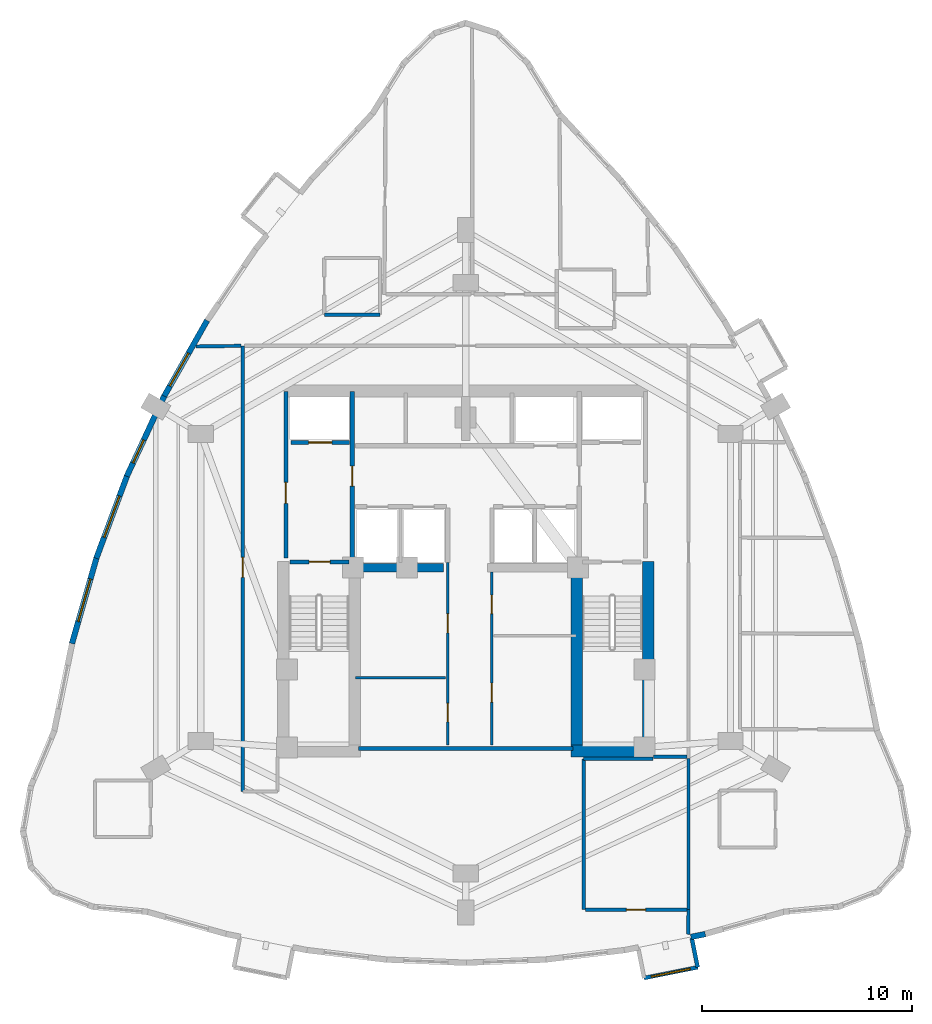
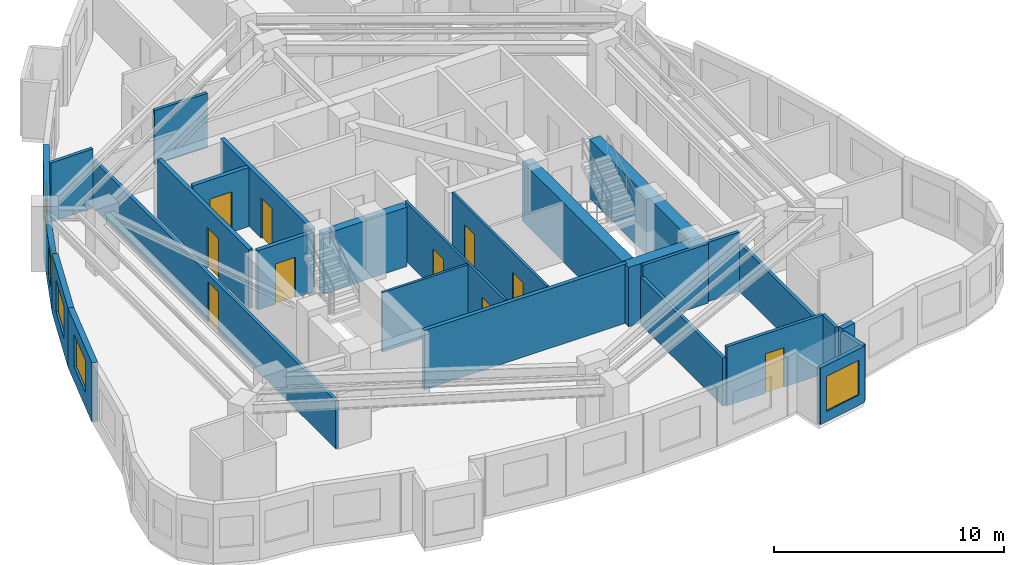
# One storey, part 5 of 9: 28 walls, 10 doors, 5 windows, 15 openings.
"""IFC4 building model written with IfcOpenShell, lengths in metres."""

from ifc_helpers import new_model, si_unit, direction, frame, frame_2d, origin, place, context, subcontext, project, spatial, rectangle, extrude, material, layer, layer_set, type_object, element, fill, save


model = new_model("IFC4")

# Units and contexts
model_context = context("Model", 3, precision=1e-05, world=origin(), true_north=direction((0.0, 1.0)))
body_context = subcontext(model_context, "Body", "Model", "MODEL_VIEW")
ifc_project = project(units=[si_unit("LENGTHUNIT", "METRE"), si_unit("AREAUNIT", "SQUARE_METRE"), si_unit("VOLUMEUNIT", "CUBIC_METRE"), si_unit("PLANEANGLEUNIT", "RADIAN"), si_unit("MASSUNIT", "GRAM", prefix="KILO")], contexts=[model_context])

# Site, building, storey
site_placement = place(None, origin())
site = spatial("IfcSite", under=ifc_project, at=site_placement, CompositionType="ELEMENT")
building_placement = place(site_placement, origin())
building = spatial("IfcBuilding", under=site, at=building_placement, Name="Miruveldt Soraemaru", CompositionType="ELEMENT")
storey_placement = place(building_placement, frame((0.0, 0.0, 180.89990234375)))
storey = spatial("IfcBuildingStorey", under=building, at=storey_placement, Name="L50", CompositionType="ELEMENT", Elevation=180.89990234375)

# Wall
ifc_material_1 = material(Name="White powder-coated aluminium EN AW-6060 T6", Category="aluminium")
ifc_layer_1 = layer(ifc_material_1, 0.18994140625, Name="White powder-coated aluminium EN AW-6060 T6", Category="aluminium")
ifc_layer_set_1 = layer_set([ifc_layer_1], Name="White powder-coated aluminium EN AW-6060 T6")
wall_type_1 = type_object("IfcWallType", Name="WALL-BAY-ALU190", PredefinedType="SOLIDWALL", material=ifc_layer_set_1)
wall_1_placement = place(storey_placement, frame((55.035400390625, 25.035888671875, 0.0), z_axis=(0.0, 0.0, 1.0), x_axis=(-0.195984352603, 0.980607022989, 0.0)))
element("IfcWall", 1, at=wall_1_placement, inside=storey, type_object=wall_type_1, Name="L50 Bay Window Side Cheek 2R", PredefinedType="SOLIDWALL", context=body_context, shape_type="SweptSolid", body=[
    extrude(rectangle(XDim=1.425048828125, YDim=0.18994140625, at=frame_2d((0.71240234375, 0.0))), origin(), (0.0, 0.0, 1.0), 3.0),
])

# Wall, opening, window
wall_2_placement = place(storey_placement, frame((52.48583984375, 24.526123046875, 0.0), z_axis=(0.0, 0.0, 1.0), x_axis=(0.980591508741, 0.196061962104, 0.0)))
wall_2 = element("IfcWall", 2, at=wall_2_placement, inside=storey, type_object=wall_type_1, Name="L50 Bay Window Front Frame 2", PredefinedType="SOLIDWALL", context=body_context, shape_type="SweptSolid", body=[
    extrude(rectangle(XDim=2.60009765625, YDim=0.18994140625, at=frame_2d((1.300048828125, 0.0))), origin(), (0.0, 0.0, 1.0), 3.0),
])
opening_1_placement = place(wall_2_placement, frame((0.35009765625, 0.0, 0.550048828125)))
opening_1 = element("IfcOpeningElement", 3, at=opening_1_placement, cuts=wall_2, Name="Opening WN-6", PredefinedType="OPENING", context=body_context, shape_type="SweptSolid", body=[
    extrude(rectangle(XDim=1.89990234375, YDim=1.85009765625, at=frame_2d((0.949951171875, 0.925048828125))), frame((0.0, 0.10498046875, 0.0), z_axis=(0.0, -1.0, 0.0), x_axis=(1.0, 0.0, 0.0)), (0.0, 0.0, 1.0), 0.2099609375),
])
ifc_material_2 = material(Name="Triple low-e insulated glazing", Category="glass")
window_type_1 = type_object("IfcWindowType", Name="WIN-BAYW-1900x1850", PartitioningType="SINGLE_PANEL", PredefinedType="WINDOW", material=ifc_material_2)
window_1_placement = place(opening_1_placement, origin())
window_1 = element("IfcWindow", 4, at=window_1_placement, inside=storey, type_object=window_type_1, Name="L50 Projecting Bay Window 2", OverallHeight=1.85009765625, OverallWidth=1.89990234375, PartitioningType="SINGLE_PANEL", PredefinedType="WINDOW", context=body_context, shape_type="SweptSolid", body=[
    extrude(rectangle(XDim=1.89990234375, YDim=1.85009765625, at=frame_2d((0.949951171875, 0.925048828125))), frame((0.0, 0.030029296875, 0.0), z_axis=(0.0, -1.0, 0.0), x_axis=(1.0, 0.0, 0.0)), (0.0, 0.0, 1.0), 0.06005859375),
])
fill(opening_1, window_1)

# Walls
ifc_material_3 = material(Name="Concrete C70/85 (70 MPa)", Category="concrete")
ifc_layer_2 = layer(ifc_material_3, 0.5, Name="Concrete C70/85 (70 MPa)", Category="concrete")
ifc_layer_set_2 = layer_set([ifc_layer_2], Name="Concrete C70/85 (70 MPa)")
wall_type_2 = type_object("IfcWallType", Name="WALL-BW-500", PredefinedType="SHEAR", material=ifc_layer_set_2)
wall_3_placement = place(storey_placement, frame((38.75, 44.050048828125, 0.0), z_axis=(0.0, 0.0, 1.0), x_axis=(1.0, 0.0, 0.0)))
element("IfcWall", 5, at=wall_3_placement, inside=storey, type_object=wall_type_2, Name="L50 Core Buttress Shear Wall BW", PredefinedType="SHEAR", context=body_context, shape_type="SweptSolid", body=[
    extrude(rectangle(XDim=4.199951171875, YDim=0.39990234375, at=frame_2d((2.10009765625, 0.0))), origin(), (0.0, 0.0, 1.0), 3.150146484375),
])
ifc_layer_3 = layer(ifc_material_3, 0.550048828125, Name="Concrete C70/85 (70 MPa)", Category="concrete")
ifc_layer_set_3 = layer_set([ifc_layer_3], Name="Concrete C70/85 (70 MPa)")
wall_type_3 = type_object("IfcWallType", Name="WALL-CW-550", PredefinedType="SHEAR", material=ifc_layer_set_3)
wall_4_placement = place(storey_placement, frame((49.0, 35.324951171875, 0.0), z_axis=(0.0, 0.0, 1.0), x_axis=(1.0, 0.0, 0.0)))
element("IfcWall", 6, at=wall_4_placement, inside=storey, type_object=wall_type_3, Name="L50 Central Core Shear Wall S2", PredefinedType="SHEAR", context=body_context, shape_type="SweptSolid", body=[
    extrude(rectangle(XDim=3.949951171875, YDim=0.550048828125, at=frame_2d((1.97509765625, 0.0))), origin(), (0.0, 0.0, 1.0), 3.150146484375),
])
wall_5_placement = place(storey_placement, frame((52.675048828125, 35.050048828125, 0.0), z_axis=(0.0, 0.0, 1.0), x_axis=(0.0, 1.0, 0.0)))
element("IfcWall", 7, at=wall_5_placement, inside=storey, type_object=wall_type_3, Name="L50 Central Core Shear Wall E1", PredefinedType="SHEAR", context=body_context, shape_type="SweptSolid", body=[
    extrude(rectangle(XDim=9.300048828125, YDim=0.550048828125, at=frame_2d((4.64990234375, 0.0))), origin(), (0.0, 0.0, 1.0), 3.150146484375),
])
wall_6_placement = place(storey_placement, frame((49.27490234375, 35.39990234375, 0.0), z_axis=(0.0, 0.0, 1.0), x_axis=(0.0, 1.0, 0.0)))
element("IfcWall", 8, at=wall_6_placement, inside=storey, type_object=wall_type_3, Name="L50 Central Core Shear Wall SE-INT", PredefinedType="SHEAR", context=body_context, shape_type="SweptSolid", body=[
    extrude(rectangle(XDim=8.9501953125, YDim=0.550048828125, at=frame_2d((4.47509765625, 0.0))), origin(), (0.0, 0.0, 1.0), 3.150146484375),
])

# Wall, opening, window
ifc_material_4 = material(Name="Precast concrete C45/55 (45 MPa)", Category="concrete")
ifc_layer_4 = layer(ifc_material_4, 0.27001953125, Name="Precast concrete C45/55 (45 MPa)", Category="concrete")
ifc_layer_set_4 = layer_set([ifc_layer_4], Name="Precast concrete C45/55 (45 MPa)")
wall_type_4 = type_object("IfcWallType", Name="WALL-EXT-PC270", PredefinedType="SOLIDWALL", material=ifc_layer_set_4)
wall_7_placement = place(storey_placement, frame((31.69970703125, 55.805419921875, 0.0), z_axis=(0.0, 0.0, 1.0), x_axis=(-0.493374182054, -0.869817174171, 0.0)))
wall_7 = element("IfcWall", 9, at=wall_7_placement, inside=storey, type_object=wall_type_4, Name="L50 Precast Concrete Facade Wall 10", PredefinedType="SOLIDWALL", context=body_context, shape_type="SweptSolid", body=[
    extrude(rectangle(XDim=4.20703125, YDim=0.27001953125, at=frame_2d((2.103515625, 0.0))), origin(), (0.0, 0.0, 1.0), 3.150146484375),
])
opening_2_placement = place(wall_7_placement, frame((1.7890625, 0.0, 0.800048828125)))
opening_2 = element("IfcOpeningElement", 10, at=opening_2_placement, cuts=wall_7, Name="Opening WN-2", PredefinedType="OPENING", context=body_context, shape_type="SweptSolid", body=[
    extrude(rectangle(XDim=1.800048828125, YDim=1.64990234375, at=frame_2d((0.89990234375, 0.824951171875))), frame((0.0, 0.14501953125, 0.0), z_axis=(0.0, -1.0, 0.0), x_axis=(1.0, 0.0, 0.0)), (0.0, 0.0, 1.0), 0.2900390625),
])
window_type_2 = type_object("IfcWindowType", Name="WIN-PUNCH-1800x1650", PartitioningType="SINGLE_PANEL", PredefinedType="WINDOW", material=ifc_material_2)
window_2_placement = place(opening_2_placement, origin())
window_2 = element("IfcWindow", 11, at=window_2_placement, inside=storey, type_object=window_type_2, Name="L50 Punched Triple-Glazed Window 10.1", OverallHeight=1.64990234375, OverallWidth=1.800048828125, PartitioningType="SINGLE_PANEL", PredefinedType="WINDOW", context=body_context, shape_type="SweptSolid", body=[
    extrude(rectangle(XDim=1.800048828125, YDim=1.64990234375, at=frame_2d((0.89990234375, 0.824951171875))), frame((0.0, 0.030029296875, 0.0), z_axis=(0.0, -1.0, 0.0), x_axis=(1.0, 0.0, 0.0)), (0.0, 0.0, 1.0), 0.06005859375),
])
fill(opening_2, window_2)

wall_8_placement = place(storey_placement, frame((29.65625, 52.2080078125, 0.0), z_axis=(0.0, 0.0, 1.0), x_axis=(-0.422345326192, -0.906435008947, 0.0)))
wall_8 = element("IfcWall", 12, at=wall_8_placement, inside=storey, type_object=wall_type_4, Name="L50 Precast Concrete Facade Wall 11", PredefinedType="SOLIDWALL", context=body_context, shape_type="SweptSolid", body=[
    extrude(rectangle(XDim=4.20703125, YDim=0.27001953125, at=frame_2d((2.103515625, 0.0))), origin(), (0.0, 0.0, 1.0), 2.550048828125),
])
opening_3_placement = place(wall_8_placement, frame((2.300048828125, 0.0, 0.780029296875)))
opening_3 = element("IfcOpeningElement", 13, at=opening_3_placement, cuts=wall_8, Name="Opening WN-4", PredefinedType="OPENING", context=body_context, shape_type="SweptSolid", body=[
    extrude(rectangle(XDim=1.199951171875, YDim=1.550048828125, at=frame_2d((0.60009765625, 0.77490234375))), frame((0.0, 0.14501953125, 0.0), z_axis=(0.0, -1.0, 0.0), x_axis=(1.0, 0.0, 0.0)), (0.0, 0.0, 1.0), 0.2900390625),
])
window_type_3 = type_object("IfcWindowType", Name="WIN-PUNCH-1200x1550", PartitioningType="SINGLE_PANEL", PredefinedType="WINDOW", material=ifc_material_2)
window_3_placement = place(opening_3_placement, origin())
window_3 = element("IfcWindow", 14, at=window_3_placement, inside=storey, type_object=window_type_3, Name="L50 Punched Triple-Glazed Window 11.1", OverallHeight=1.550048828125, OverallWidth=1.199951171875, PartitioningType="SINGLE_PANEL", PredefinedType="WINDOW", context=body_context, shape_type="SweptSolid", body=[
    extrude(rectangle(XDim=1.199951171875, YDim=1.550048828125, at=frame_2d((0.60009765625, 0.77490234375))), frame((0.0, 0.030029296875, 0.0), z_axis=(0.0, -1.0, 0.0), x_axis=(1.0, 0.0, 0.0)), (0.0, 0.0, 1.0), 0.06005859375),
])
fill(opening_3, window_3)

wall_9_placement = place(storey_placement, frame((27.906494140625, 48.458984375, 0.0), z_axis=(0.0, 0.0, 1.0), x_axis=(-0.349011712454, -0.937118362092, 0.0)))
wall_9 = element("IfcWall", 15, at=wall_9_placement, inside=storey, type_object=wall_type_4, Name="L50 Precast Concrete Facade Wall 12", PredefinedType="SOLIDWALL", context=body_context, shape_type="SweptSolid", body=[
    extrude(rectangle(XDim=4.2333984375, YDim=0.27001953125, at=frame_2d((2.11669921875, 0.0))), origin(), (0.0, 0.0, 1.0), 3.150146484375),
])
opening_4_placement = place(wall_9_placement, frame((1.06689453125, 0.0, 0.800048828125)))
opening_4 = element("IfcOpeningElement", 16, at=opening_4_placement, cuts=wall_9, Name="Opening WN-1", PredefinedType="OPENING", context=body_context, shape_type="SweptSolid", body=[
    extrude(rectangle(XDim=2.10009765625, YDim=1.699951171875, at=frame_2d((1.050048828125, 0.85009765625))), frame((0.0, 0.14501953125, 0.0), z_axis=(0.0, -1.0, 0.0), x_axis=(1.0, 0.0, 0.0)), (0.0, 0.0, 1.0), 0.2900390625),
])
window_type_4 = type_object("IfcWindowType", Name="WIN-PUNCH-2100x1700", PartitioningType="SINGLE_PANEL", PredefinedType="WINDOW", material=ifc_material_2)
window_4_placement = place(opening_4_placement, origin())
window_4 = element("IfcWindow", 17, at=window_4_placement, inside=storey, type_object=window_type_4, Name="L50 Punched Triple-Glazed Window 12.1", OverallHeight=1.699951171875, OverallWidth=2.10009765625, PartitioningType="SINGLE_PANEL", PredefinedType="WINDOW", context=body_context, shape_type="SweptSolid", body=[
    extrude(rectangle(XDim=2.10009765625, YDim=1.699951171875, at=frame_2d((1.050048828125, 0.85009765625))), frame((0.0, 0.030029296875, 0.0), z_axis=(0.0, -1.0, 0.0), x_axis=(1.0, 0.0, 0.0)), (0.0, 0.0, 1.0), 0.06005859375),
])
fill(opening_4, window_4)

wall_10_placement = place(storey_placement, frame((26.45068359375, 44.55810546875, 0.0), z_axis=(0.0, 0.0, 1.0), x_axis=(-0.274984460163, -0.961448670845, 0.0)))
wall_10 = element("IfcWall", 18, at=wall_10_placement, inside=storey, type_object=wall_type_4, Name="L50 Precast Concrete Facade Wall 13", PredefinedType="SOLIDWALL", context=body_context, shape_type="SweptSolid", body=[
    extrude(rectangle(XDim=4.28564453125, YDim=0.27001953125, at=frame_2d((2.142822265625, 0.0))), origin(), (0.0, 0.0, 1.0), 3.150146484375),
])
opening_5_placement = place(wall_10_placement, frame((1.093017578125, 0.0, 0.800048828125)))
opening_5 = element("IfcOpeningElement", 19, at=opening_5_placement, cuts=wall_10, Name="Opening WN-1", PredefinedType="OPENING", context=body_context, shape_type="SweptSolid", body=[
    extrude(rectangle(XDim=2.10009765625, YDim=1.699951171875, at=frame_2d((1.050048828125, 0.85009765625))), frame((0.0, 0.14501953125, 0.0), z_axis=(0.0, -1.0, 0.0), x_axis=(1.0, 0.0, 0.0)), (0.0, 0.0, 1.0), 0.2900390625),
])
window_5_placement = place(opening_5_placement, origin())
window_5 = element("IfcWindow", 20, at=window_5_placement, inside=storey, type_object=window_type_4, Name="L50 Punched Triple-Glazed Window 13.1", OverallHeight=1.699951171875, OverallWidth=2.10009765625, PartitioningType="SINGLE_PANEL", PredefinedType="WINDOW", context=body_context, shape_type="SweptSolid", body=[
    extrude(rectangle(XDim=2.10009765625, YDim=1.699951171875, at=frame_2d((1.050048828125, 0.85009765625))), frame((0.0, 0.030029296875, 0.0), z_axis=(0.0, -1.0, 0.0), x_axis=(1.0, 0.0, 0.0)), (0.0, 0.0, 1.0), 0.06005859375),
])
fill(opening_5, window_5)

# Wall
wall_11_placement = place(storey_placement, frame((54.7158203125, 26.481201171875, 0.0), z_axis=(0.0, 0.0, 1.0), x_axis=(0.980553708883, 0.196250921006, 0.0)))
element("IfcWall", 21, at=wall_11_placement, inside=storey, type_object=wall_type_4, Name="L50 Precast Pier Wall 27B", PredefinedType="SOLIDWALL", context=body_context, shape_type="SweptSolid", body=[
    extrude(rectangle(XDim=0.696533203125, YDim=0.27001953125, at=frame_2d((0.34814453125, 0.0))), origin(), (0.0, 0.0, 1.0), 3.150146484375),
])

# Wall, openings, doors
ifc_material_5 = material(Name="Gypsum plasterboard lining", Category="gypsum")
ifc_layer_5 = layer(ifc_material_5, 0.1201171875, Name="Gypsum plasterboard lining", Category="gypsum")
ifc_layer_set_5 = layer_set([ifc_layer_5], Name="Gypsum plasterboard lining")
wall_type_5 = type_object("IfcWallType", Name="WALL-INT-P120", PredefinedType="PARTITIONING", material=ifc_layer_set_5)
wall_12_placement = place(storey_placement, frame((43.14990234375, 35.60009765625, 0.0), z_axis=(0.0, 0.0, 1.0), x_axis=(0.0, 1.0, 0.0)))
wall_12 = element("IfcWall", 22, at=wall_12_placement, inside=storey, type_object=wall_type_5, Name="L50 Core Compartment Wall SP-WL", PredefinedType="PARTITIONING", context=body_context, shape_type="SweptSolid", body=[
    extrude(rectangle(XDim=8.699951171875, YDim=0.1201171875, at=frame_2d((4.35009765625, 0.0))), origin(), (0.0, 0.0, 1.0), 3.150146484375),
])
opening_6_placement = place(wall_12_placement, frame((1.110107421875, 0.0, 0.0)))
opening_6 = element("IfcOpeningElement", 23, at=opening_6_placement, cuts=wall_12, Name="Opening D4", PredefinedType="OPENING", context=body_context, shape_type="SweptSolid", body=[
    extrude(rectangle(XDim=0.8798828125, YDim=2.10009765625, at=frame_2d((0.43994140625, 1.050048828125))), frame((0.0, 0.070068359375, 0.0), z_axis=(0.0, -1.0, 0.0), x_axis=(1.0, 0.0, 0.0)), (0.0, 0.0, 1.0), 0.14013671875),
])
opening_7_placement = place(wall_12_placement, frame((5.35009765625, 0.0, 0.0)))
opening_7 = element("IfcOpeningElement", 24, at=opening_7_placement, cuts=wall_12, Name="Opening D3", PredefinedType="OPENING", context=body_context, shape_type="SweptSolid", body=[
    extrude(rectangle(XDim=0.89990234375, YDim=2.10009765625, at=frame_2d((0.449951171875, 1.050048828125))), frame((0.0, 0.070068359375, 0.0), z_axis=(0.0, -1.0, 0.0), x_axis=(1.0, 0.0, 0.0)), (0.0, 0.0, 1.0), 0.14013671875),
])
ifc_material_6 = material(Name="Anodised aluminium EN AW-6063 T6", Category="aluminium")
door_type_1 = type_object("IfcDoorType", Name="DOOR-INT-880", OperationType="NOTDEFINED", PredefinedType="DOOR", material=ifc_material_6)
door_1_placement = place(opening_6_placement, origin())
door_1 = element("IfcDoor", 25, at=door_1_placement, inside=storey, type_object=door_type_1, Name="L50 Fire Door", OperationType="SINGLE_SWING_LEFT", OverallHeight=2.10009765625, OverallWidth=0.8798828125, PredefinedType="DOOR", context=body_context, shape_type="SweptSolid", body=[
    extrude(rectangle(XDim=0.8798828125, YDim=2.10009765625, at=frame_2d((0.43994140625, 1.050048828125))), frame((0.0, 0.02490234375, 0.0), z_axis=(0.0, -1.0, 0.0), x_axis=(1.0, 0.0, 0.0)), (0.0, 0.0, 1.0), 0.050048828125),
])
fill(opening_6, door_1)
door_type_2 = type_object("IfcDoorType", Name="DOOR-INT-900", OperationType="NOTDEFINED", PredefinedType="DOOR", material=ifc_material_6)
door_2_placement = place(opening_7_placement, origin())
door_2 = element("IfcDoor", 26, at=door_2_placement, inside=storey, type_object=door_type_2, Name="L50 Fire Door", OperationType="SINGLE_SWING_LEFT", OverallHeight=2.10009765625, OverallWidth=0.89990234375, PredefinedType="DOOR", context=body_context, shape_type="SweptSolid", body=[
    extrude(rectangle(XDim=0.89990234375, YDim=2.10009765625, at=frame_2d((0.449951171875, 1.050048828125))), frame((0.0, 0.02490234375, 0.0), z_axis=(0.0, -1.0, 0.0), x_axis=(1.0, 0.0, 0.0)), (0.0, 0.0, 1.0), 0.050048828125),
])
fill(opening_7, door_2)

wall_13_placement = place(storey_placement, frame((45.25, 35.60009765625, 0.0), z_axis=(0.0, 0.0, 1.0), x_axis=(0.0, 1.0, 0.0)))
wall_13 = element("IfcWall", 27, at=wall_13_placement, inside=storey, type_object=wall_type_5, Name="L50 Core Compartment Wall SP-EL", PredefinedType="PARTITIONING", context=body_context, shape_type="SweptSolid", body=[
    extrude(rectangle(XDim=8.25, YDim=0.1201171875, at=frame_2d((4.125, 0.0))), origin(), (0.0, 0.0, 1.0), 3.150146484375),
])
opening_8_placement = place(wall_13_placement, frame((2.050048828125, 0.0, 0.0)))
opening_8 = element("IfcOpeningElement", 28, at=opening_8_placement, cuts=wall_13, Name="Opening D3", PredefinedType="OPENING", context=body_context, shape_type="SweptSolid", body=[
    extrude(rectangle(XDim=0.89990234375, YDim=2.10009765625, at=frame_2d((0.449951171875, 1.050048828125))), frame((0.0, 0.070068359375, 0.0), z_axis=(0.0, -1.0, 0.0), x_axis=(1.0, 0.0, 0.0)), (0.0, 0.0, 1.0), 0.14013671875),
])
opening_9_placement = place(wall_13_placement, frame((6.260009765625, 0.0, 0.0)))
opening_9 = element("IfcOpeningElement", 29, at=opening_9_placement, cuts=wall_13, Name="Opening D4", PredefinedType="OPENING", context=body_context, shape_type="SweptSolid", body=[
    extrude(rectangle(XDim=0.8798828125, YDim=2.10009765625, at=frame_2d((0.43994140625, 1.050048828125))), frame((0.0, 0.070068359375, 0.0), z_axis=(0.0, -1.0, 0.0), x_axis=(1.0, 0.0, 0.0)), (0.0, 0.0, 1.0), 0.14013671875),
])
door_3_placement = place(opening_9_placement, origin())
door_3 = element("IfcDoor", 30, at=door_3_placement, inside=storey, type_object=door_type_1, Name="L50 Fire Door", OperationType="SINGLE_SWING_LEFT", OverallHeight=2.10009765625, OverallWidth=0.8798828125, PredefinedType="DOOR", context=body_context, shape_type="SweptSolid", body=[
    extrude(rectangle(XDim=0.8798828125, YDim=2.10009765625, at=frame_2d((0.43994140625, 1.050048828125))), frame((0.0, 0.02490234375, 0.0), z_axis=(0.0, -1.0, 0.0), x_axis=(1.0, 0.0, 0.0)), (0.0, 0.0, 1.0), 0.050048828125),
])
fill(opening_9, door_3)
door_4_placement = place(opening_8_placement, origin())
door_4 = element("IfcDoor", 31, at=door_4_placement, inside=storey, type_object=door_type_2, Name="L50 Fire Door", OperationType="SINGLE_SWING_LEFT", OverallHeight=2.10009765625, OverallWidth=0.89990234375, PredefinedType="DOOR", context=body_context, shape_type="SweptSolid", body=[
    extrude(rectangle(XDim=0.89990234375, YDim=2.10009765625, at=frame_2d((0.449951171875, 1.050048828125))), frame((0.0, 0.02490234375, 0.0), z_axis=(0.0, -1.0, 0.0), x_axis=(1.0, 0.0, 0.0)), (0.0, 0.0, 1.0), 0.050048828125),
])
fill(opening_8, door_4)

# Walls
wall_14_placement = place(storey_placement, frame((38.75, 38.800048828125, 0.0), z_axis=(0.0, 0.0, 1.0), x_axis=(1.0, 0.0, 0.0)))
element("IfcWall", 32, at=wall_14_placement, inside=storey, type_object=wall_type_5, Name="L50 Core Compartment Wall RL-W2H", PredefinedType="PARTITIONING", context=body_context, shape_type="SweptSolid", body=[
    extrude(rectangle(XDim=4.300048828125, YDim=0.1201171875, at=frame_2d((2.14990234375, 0.0))), origin(), (0.0, 0.0, 1.0), 3.150146484375),
])
ifc_layer_6 = layer(ifc_material_5, 0.14990234375, Name="Gypsum plasterboard lining", Category="gypsum")
ifc_layer_set_6 = layer_set([ifc_layer_6], Name="Gypsum plasterboard lining")
wall_type_6 = type_object("IfcWallType", Name="WALL-INT-PLUMB", PredefinedType="PLUMBINGWALL", material=ifc_layer_set_6)
wall_15_placement = place(storey_placement, frame((37.27490234375, 56.080078125, 0.0), z_axis=(0.0, 0.0, 1.0), x_axis=(1.0, 0.0, 0.0)))
element("IfcWall", 33, at=wall_15_placement, inside=storey, type_object=wall_type_6, Name="L50 Partition Wall 9", PredefinedType="PLUMBINGWALL", context=body_context, shape_type="SweptSolid", body=[
    extrude(rectangle(XDim=2.650146484375, YDim=0.14990234375, at=frame_2d((1.3251953125, 0.0))), origin(), (0.0, 0.0, 1.0), 2.88818359375),
])

# Wall, opening, door
ifc_material_7 = material(Name="Concrete C40/50 (40 MPa)", Category="concrete")
ifc_layer_7 = layer(ifc_material_7, 0.159912109375, Name="Concrete C40/50 (40 MPa)", Category="concrete")
ifc_layer_set_7 = layer_set([ifc_layer_7], Name="Concrete C40/50 (40 MPa)")
wall_type_7 = type_object("IfcWallType", Name="WALL-INT-RC160", PredefinedType="SOLIDWALL", material=ifc_layer_set_7)
wall_16_placement = place(storey_placement, frame((33.39990234375, 54.594970703125, 0.0), z_axis=(0.0, 0.0, 1.0), x_axis=(0.0, -1.0, 0.0)))
wall_16 = element("IfcWall", 34, at=wall_16_placement, inside=storey, type_object=wall_type_7, Name="L50 Partition Wall 2", PredefinedType="SOLIDWALL", context=body_context, shape_type="SweptSolid", body=[
    extrude(rectangle(XDim=21.195068359375, YDim=0.159912109375, at=frame_2d((10.59765625, 0.0))), origin(), (0.0, 0.0, 1.0), 2.550048828125),
])
opening_10_placement = place(wall_16_placement, frame((10.06201171875, 0.0, 0.0)))
opening_10 = element("IfcOpeningElement", 35, at=opening_10_placement, cuts=wall_16, Name="Opening FD2", PredefinedType="OPENING", context=body_context, shape_type="SweptSolid", body=[
    extrude(rectangle(XDim=0.949951171875, YDim=2.14990234375, at=frame_2d((0.47509765625, 1.074951171875))), frame((0.0, 0.08984375, 0.0), z_axis=(0.0, -1.0, 0.0), x_axis=(1.0, 0.0, 0.0)), (0.0, 0.0, 1.0), 0.179931640625),
])
door_type_3 = type_object("IfcDoorType", Name="DOOR-FD2-950", OperationType="NOTDEFINED", PredefinedType="DOOR", material=ifc_material_6)
door_5_placement = place(opening_10_placement, origin())
door_5 = element("IfcDoor", 36, at=door_5_placement, inside=storey, type_object=door_type_3, Name="L50 Unit CL02 Entrance Fire Door", OperationType="SINGLE_SWING_RIGHT", OverallHeight=2.14990234375, OverallWidth=0.949951171875, PredefinedType="DOOR", context=body_context, shape_type="SweptSolid", body=[
    extrude(rectangle(XDim=0.949951171875, YDim=2.14990234375, at=frame_2d((0.47509765625, 1.074951171875))), frame((0.0, 0.02490234375, 0.0), z_axis=(0.0, -1.0, 0.0), x_axis=(1.0, 0.0, 0.0)), (0.0, 0.0, 1.0), 0.050048828125),
])
fill(opening_10, door_5)

wall_17_placement = place(storey_placement, frame((54.52001953125, 27.778076171875, 0.0), z_axis=(0.0, 0.0, 1.0), x_axis=(-1.0, 0.0, 0.0)))
wall_17 = element("IfcWall", 37, at=wall_17_placement, inside=storey, type_object=wall_type_7, Name="L50 Partition Wall 29", PredefinedType="SOLIDWALL", context=body_context, shape_type="SweptSolid", body=[
    extrude(rectangle(XDim=4.8310546875, YDim=0.159912109375, at=frame_2d((2.41552734375, 0.0))), origin(), (0.0, 0.0, 1.0), 3.150146484375),
])
opening_11_placement = place(wall_17_placement, frame((1.9560546875, 0.0, 0.0)))
opening_11 = element("IfcOpeningElement", 38, at=opening_11_placement, cuts=wall_17, Name="Opening D3A", PredefinedType="OPENING", context=body_context, shape_type="SweptSolid", body=[
    extrude(rectangle(XDim=0.919921875, YDim=2.10009765625, at=frame_2d((0.4599609375, 1.050048828125))), frame((0.0, 0.08984375, 0.0), z_axis=(0.0, -1.0, 0.0), x_axis=(1.0, 0.0, 0.0)), (0.0, 0.0, 1.0), 0.179931640625),
])
door_type_4 = type_object("IfcDoorType", Name="DOOR-INT-920", OperationType="NOTDEFINED", PredefinedType="DOOR", material=ifc_material_6)
door_6_placement = place(opening_11_placement, origin())
door_6 = element("IfcDoor", 39, at=door_6_placement, inside=storey, type_object=door_type_4, Name="L50 Unit CL02 EXT Door", OperationType="SINGLE_SWING_RIGHT", OverallHeight=2.10009765625, OverallWidth=0.919921875, PredefinedType="DOOR", context=body_context, shape_type="SweptSolid", body=[
    extrude(rectangle(XDim=0.919921875, YDim=2.10009765625, at=frame_2d((0.4599609375, 1.050048828125))), frame((0.0, 0.02490234375, 0.0), z_axis=(0.0, -1.0, 0.0), x_axis=(1.0, 0.0, 0.0)), (0.0, 0.0, 1.0), 0.050048828125),
])
fill(opening_11, door_6)

# Walls
wall_18_placement = place(storey_placement, frame((54.60009765625, 34.9599609375, 0.0), z_axis=(0.0, 0.0, 1.0), x_axis=(0.0, -1.0, 0.0)))
element("IfcWall", 40, at=wall_18_placement, inside=storey, type_object=wall_type_7, Name="L50 Partition Wall 42", PredefinedType="SOLIDWALL", context=body_context, shape_type="SweptSolid", body=[
    extrude(rectangle(XDim=7.181884765625, YDim=0.159912109375, at=frame_2d((3.5908203125, 0.0))), origin(), (0.0, 0.0, 1.0), 2.550048828125),
])
wall_19_placement = place(storey_placement, frame((49.60888671875, 27.778076171875, 0.0), z_axis=(0.0, 0.0, 1.0), x_axis=(0.0, 1.0, 0.0)))
element("IfcWall", 41, at=wall_19_placement, inside=storey, type_object=wall_type_7, Name="L50 Partition Wall 43", PredefinedType="SOLIDWALL", context=body_context, shape_type="SweptSolid", body=[
    extrude(rectangle(XDim=7.171875, YDim=0.159912109375, at=frame_2d((3.5859375, 0.0))), origin(), (0.0, 0.0, 1.0), 2.550048828125),
])
wall_20_placement = place(storey_placement, frame((49.60888671875, 34.949951171875, 0.0), z_axis=(0.0, 0.0, 1.0), x_axis=(1.0, 0.0, 0.0)))
element("IfcWall", 42, at=wall_20_placement, inside=storey, type_object=wall_type_7, Name="L50 Partition Wall 44", PredefinedType="SOLIDWALL", context=body_context, shape_type="SweptSolid", body=[
    extrude(rectangle(XDim=3.30712890625, YDim=0.159912109375, at=frame_2d((1.653564453125, 0.0))), origin(), (0.0, 0.0, 1.0), 3.150146484375),
])
wall_21_placement = place(storey_placement, frame((31.169921875, 54.568115234375, 0.0), z_axis=(0.0, 0.0, 1.0), x_axis=(0.999895545538, 0.014453304608, 0.0)))
element("IfcWall", 43, at=wall_21_placement, inside=storey, type_object=wall_type_7, Name="L50 Partition Wall 18", PredefinedType="SOLIDWALL", context=body_context, shape_type="SweptSolid", body=[
    extrude(rectangle(XDim=2.145263671875, YDim=0.159912109375, at=frame_2d((1.07275390625, 0.0))), origin(), (0.0, 0.0, 1.0), 3.150146484375),
])
wall_22_placement = place(storey_placement, frame((52.946044921875, 35.050048828125, 0.0), z_axis=(0.0, 0.0, 1.0), x_axis=(1.0, 0.0, 0.0)))
element("IfcWall", 44, at=wall_22_placement, inside=storey, type_object=wall_type_7, Name="L50 Partition Wall 4", PredefinedType="SOLIDWALL", context=body_context, shape_type="SweptSolid", body=[
    extrude(rectangle(XDim=1.571044921875, YDim=0.159912109375, at=frame_2d((0.78564453125, 0.0))), origin(), (0.0, 0.0, 1.0), 3.150146484375),
])
wall_23_placement = place(storey_placement, frame((54.5869140625, 26.60888671875, 0.0), z_axis=(0.0, 0.0, 1.0), x_axis=(0.010440024029, 0.999945501464, 0.0)))
element("IfcWall", 45, at=wall_23_placement, inside=storey, type_object=wall_type_7, Name="L50 Partition Wall 30", PredefinedType="SOLIDWALL", context=body_context, shape_type="SweptSolid", body=[
    extrude(rectangle(XDim=1.169189453125, YDim=0.159912109375, at=frame_2d((0.58447265625, 0.0))), origin(), (0.0, 0.0, 1.0), 3.150146484375),
])

# Wall, opening, door
ifc_layer_8 = layer(ifc_material_7, 0.199951171875, Name="Concrete C40/50 (40 MPa)", Category="concrete")
ifc_layer_set_8 = layer_set([ifc_layer_8], Name="Concrete C40/50 (40 MPa)")
wall_type_8 = type_object("IfcWallType", Name="WALL-INT-RC200", PredefinedType="SOLIDWALL", material=ifc_layer_set_8)
wall_24_placement = place(storey_placement, frame((35.449951171875, 44.5, 0.0), z_axis=(0.0, 0.0, 1.0), x_axis=(0.0, 1.0, 0.0)))
wall_24 = element("IfcWall", 46, at=wall_24_placement, inside=storey, type_object=wall_type_8, Name="L50 Core Compartment Wall FFW-OUT", PredefinedType="SOLIDWALL", context=body_context, shape_type="SweptSolid", body=[
    extrude(rectangle(XDim=7.919921875, YDim=0.199951171875, at=frame_2d((3.9599609375, 0.0))), origin(), (0.0, 0.0, 1.0), 3.150146484375),
])
opening_12_placement = place(wall_24_placement, frame((2.60009765625, 0.0, 0.0)))
opening_12 = element("IfcOpeningElement", 47, at=opening_12_placement, cuts=wall_24, Name="Opening FD1", PredefinedType="OPENING", context=body_context, shape_type="SweptSolid", body=[
    extrude(rectangle(XDim=1.0, YDim=2.14990234375, at=frame_2d((0.5, 1.074951171875))), frame((0.0, 0.10986328125, 0.0), z_axis=(0.0, -1.0, 0.0), x_axis=(1.0, 0.0, 0.0)), (0.0, 0.0, 1.0), 0.219970703125),
])
door_type_5 = type_object("IfcDoorType", Name="DOOR-FD1-1000", OperationType="NOTDEFINED", PredefinedType="DOOR", material=ifc_material_6)
door_7_placement = place(opening_12_placement, origin())
door_7 = element("IfcDoor", 48, at=door_7_placement, inside=storey, type_object=door_type_5, Name="L50 West Firefighting Lobby Exit Door", OperationType="SINGLE_SWING_LEFT", OverallHeight=2.14990234375, OverallWidth=1.0, PredefinedType="DOOR", context=body_context, shape_type="SweptSolid", body=[
    extrude(rectangle(XDim=1.0, YDim=2.14990234375, at=frame_2d((0.5, 1.074951171875))), frame((0.0, 0.02490234375, 0.0), z_axis=(0.0, -1.0, 0.0), x_axis=(1.0, 0.0, 0.0)), (0.0, 0.0, 1.0), 0.050048828125),
])
fill(opening_12, door_7)

wall_25_placement = place(storey_placement, frame((38.60009765625, 44.5, 0.0), z_axis=(0.0, 0.0, 1.0), x_axis=(0.0, 1.0, 0.0)))
wall_25 = element("IfcWall", 49, at=wall_25_placement, inside=storey, type_object=wall_type_8, Name="L50 Core Compartment Wall FFW-IN", PredefinedType="SOLIDWALL", context=body_context, shape_type="SweptSolid", body=[
    extrude(rectangle(XDim=7.919921875, YDim=0.199951171875, at=frame_2d((3.9599609375, 0.0))), origin(), (0.0, 0.0, 1.0), 3.150146484375),
])
opening_13_placement = place(wall_25_placement, frame((3.425048828125, 0.0, 0.0)))
opening_13 = element("IfcOpeningElement", 50, at=opening_13_placement, cuts=wall_25, Name="Opening FD2", PredefinedType="OPENING", context=body_context, shape_type="SweptSolid", body=[
    extrude(rectangle(XDim=0.949951171875, YDim=2.14990234375, at=frame_2d((0.47509765625, 1.074951171875))), frame((0.0, 0.10986328125, 0.0), z_axis=(0.0, -1.0, 0.0), x_axis=(1.0, 0.0, 0.0)), (0.0, 0.0, 1.0), 0.219970703125),
])
door_8_placement = place(opening_13_placement, frame((0.949951171875, 0.0, 0.0), z_axis=(0.0, 0.0, 1.0), x_axis=(-1.0, 0.0, 0.0)))
door_8 = element("IfcDoor", 51, at=door_8_placement, inside=storey, type_object=door_type_3, Name="L50 Lift Lobby to West Fire Lobby Door", OperationType="SINGLE_SWING_RIGHT", OverallHeight=2.14990234375, OverallWidth=0.949951171875, PredefinedType="DOOR", context=body_context, shape_type="SweptSolid", body=[
    extrude(rectangle(XDim=0.949951171875, YDim=2.14990234375, at=frame_2d((0.47509765625, 1.074951171875))), frame((0.0, 0.02490234375, 0.0), z_axis=(0.0, -1.0, 0.0), x_axis=(1.0, 0.0, 0.0)), (0.0, 0.0, 1.0), 0.050048828125),
])
fill(opening_13, door_8)

wall_26_placement = place(storey_placement, frame((35.64990234375, 44.320068359375, 0.0), z_axis=(0.0, 0.0, 1.0), x_axis=(1.0, 0.0, 0.0)))
wall_26 = element("IfcWall", 52, at=wall_26_placement, inside=storey, type_object=wall_type_8, Name="L50 Core Compartment Wall ST1-N", PredefinedType="SOLIDWALL", context=body_context, shape_type="SweptSolid", body=[
    extrude(rectangle(XDim=2.800048828125, YDim=0.199951171875, at=frame_2d((1.39990234375, 0.0))), origin(), (0.0, 0.0, 1.0), 3.150146484375),
])
opening_14_placement = place(wall_26_placement, frame((0.89990234375, 0.0, 0.0)))
opening_14 = element("IfcOpeningElement", 53, at=opening_14_placement, cuts=wall_26, Name="Opening FD1", PredefinedType="OPENING", context=body_context, shape_type="SweptSolid", body=[
    extrude(rectangle(XDim=1.0, YDim=2.14990234375, at=frame_2d((0.5, 1.074951171875))), frame((0.0, 0.10986328125, 0.0), z_axis=(0.0, -1.0, 0.0), x_axis=(1.0, 0.0, 0.0)), (0.0, 0.0, 1.0), 0.219970703125),
])
door_9_placement = place(opening_14_placement, frame((1.0, 0.0, 0.0), z_axis=(0.0, 0.0, 1.0), x_axis=(-1.0, 0.0, 0.0)))
door_9 = element("IfcDoor", 54, at=door_9_placement, inside=storey, type_object=door_type_5, Name="L50 Stair ST-1 Fire Door", OperationType="SINGLE_SWING_LEFT", OverallHeight=2.14990234375, OverallWidth=1.0, PredefinedType="DOOR", context=body_context, shape_type="SweptSolid", body=[
    extrude(rectangle(XDim=1.0, YDim=2.14990234375, at=frame_2d((0.5, 1.074951171875))), frame((0.0, 0.02490234375, 0.0), z_axis=(0.0, -1.0, 0.0), x_axis=(1.0, 0.0, 0.0)), (0.0, 0.0, 1.0), 0.050048828125),
])
fill(opening_14, door_9)

wall_27_placement = place(storey_placement, frame((35.679931640625, 50.0, 0.0), z_axis=(0.0, 0.0, 1.0), x_axis=(1.0, 0.0, 0.0)))
wall_27 = element("IfcWall", 55, at=wall_27_placement, inside=storey, type_object=wall_type_8, Name="L50 Core Compartment Wall FFL1-S", PredefinedType="SOLIDWALL", context=body_context, shape_type="SweptSolid", body=[
    extrude(rectangle(XDim=2.800048828125, YDim=0.199951171875, at=frame_2d((1.39990234375, 0.0))), origin(), (0.0, 0.0, 1.0), 3.150146484375),
])
opening_15_placement = place(wall_27_placement, frame((0.85009765625, 0.0, 0.0)))
opening_15 = element("IfcOpeningElement", 56, at=opening_15_placement, cuts=wall_27, Name="Opening LD2", PredefinedType="OPENING", context=body_context, shape_type="SweptSolid", body=[
    extrude(rectangle(XDim=1.10009765625, YDim=2.14990234375, at=frame_2d((0.550048828125, 1.074951171875))), frame((0.0, 0.10986328125, 0.0), z_axis=(0.0, -1.0, 0.0), x_axis=(1.0, 0.0, 0.0)), (0.0, 0.0, 1.0), 0.219970703125),
])
door_type_6 = type_object("IfcDoorType", Name="DOOR-LD2-1100", OperationType="SLIDING_TO_LEFT", PredefinedType="DOOR", material=ifc_material_6)
door_10_placement = place(opening_15_placement, origin())
door_10 = element("IfcDoor", 57, at=door_10_placement, inside=storey, type_object=door_type_6, Name="L50 FFL-1 Landing Door", OperationType="SLIDING_TO_LEFT", OverallHeight=2.14990234375, OverallWidth=1.10009765625, PredefinedType="DOOR", context=body_context, shape_type="SweptSolid", body=[
    extrude(rectangle(XDim=1.10009765625, YDim=2.14990234375, at=frame_2d((0.550048828125, 1.074951171875))), frame((0.0, 0.02490234375, 0.0), z_axis=(0.0, -1.0, 0.0), x_axis=(1.0, 0.0, 0.0)), (0.0, 0.0, 1.0), 0.050048828125),
])
fill(opening_15, door_10)

# Wall
wall_28_placement = place(storey_placement, frame((38.89990234375, 35.449951171875, 0.0), z_axis=(0.0, 0.0, 1.0), x_axis=(1.0, 0.0, 0.0)))
element("IfcWall", 58, at=wall_28_placement, inside=storey, type_object=wall_type_8, Name="L50 Core Compartment Wall CS-S", PredefinedType="SOLIDWALL", context=body_context, shape_type="SweptSolid", body=[
    extrude(rectangle(XDim=10.2001953125, YDim=0.199951171875, at=frame_2d((5.10009765625, 0.0))), origin(), (0.0, 0.0, 1.0), 3.150146484375),
])

save(model, "model.ifc")
